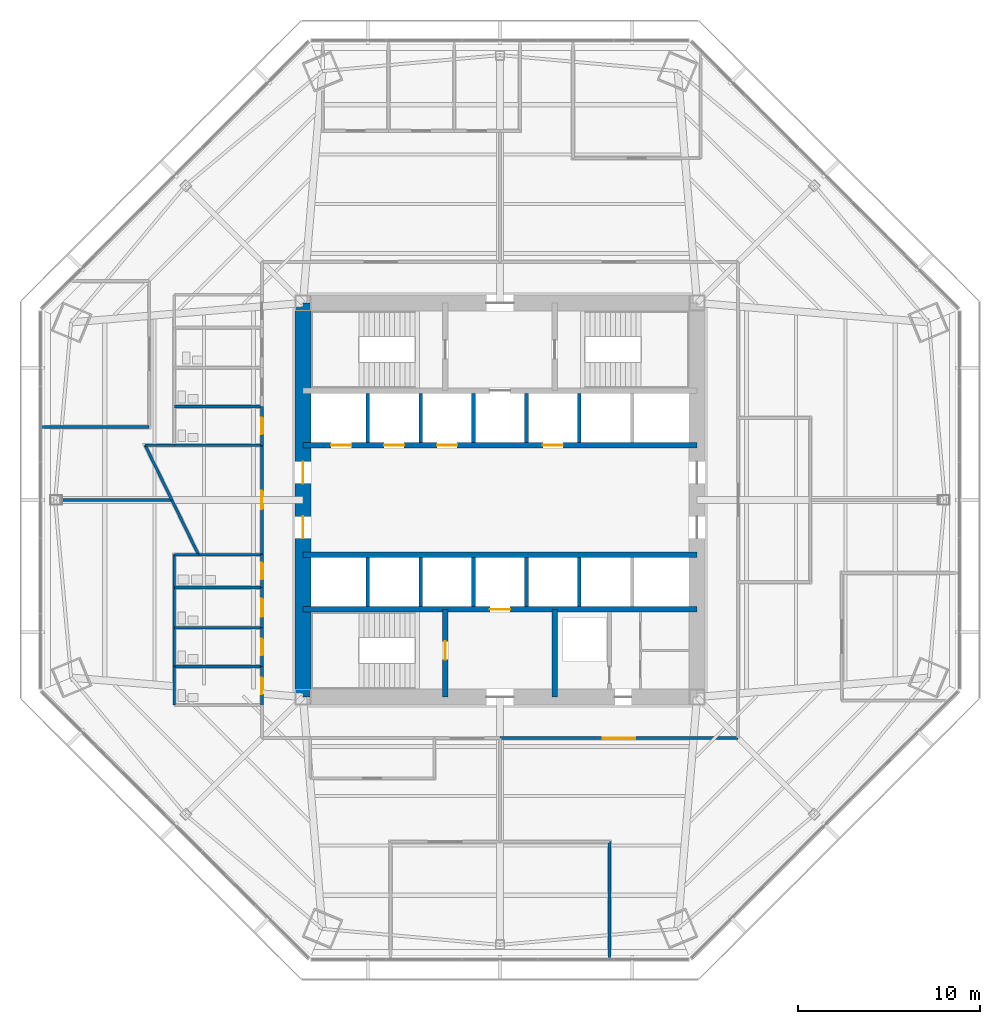
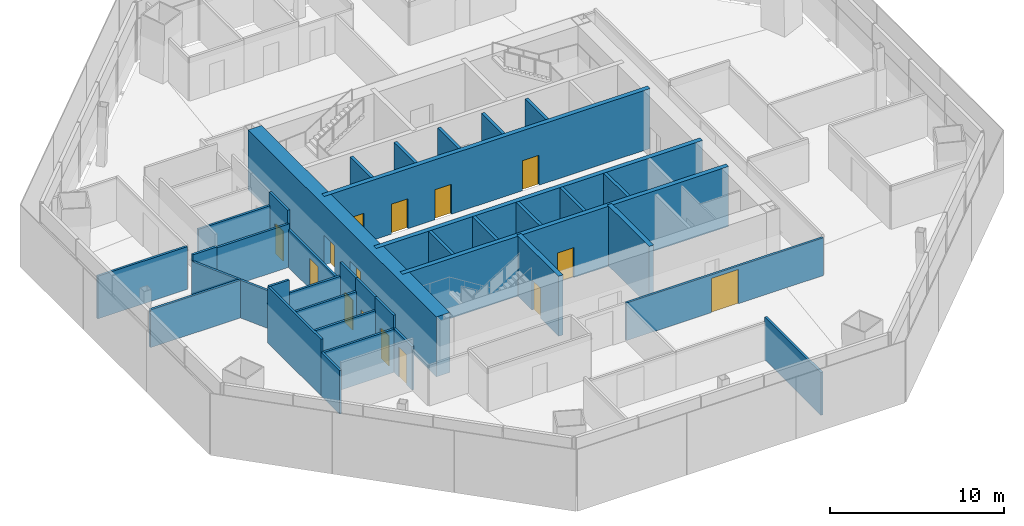
# One storey, part 10 of 16: 38 walls, 15 doors, 15 openings.
"""IFC4 building model written with IfcOpenShell, lengths in metres."""

from ifc_helpers import new_model, si_unit, direction, frame, frame_2d, origin, place, context, subcontext, project, spatial, rectangle, extrude, material, layer, layer_set, type_object, element, fill, save


model = new_model("IFC4")

# Units and contexts
model_context = context("Model", 3, precision=1e-05, world=origin(), true_north=direction((0.0, 1.0)))
body_context = subcontext(model_context, "Body", "Model", "MODEL_VIEW")
ifc_project = project(units=[si_unit("LENGTHUNIT", "METRE"), si_unit("AREAUNIT", "SQUARE_METRE"), si_unit("VOLUMEUNIT", "CUBIC_METRE"), si_unit("PLANEANGLEUNIT", "RADIAN"), si_unit("MASSUNIT", "GRAM", prefix="KILO")], contexts=[model_context])

# Site, building, storey
site_placement = place(None, origin())
site = spatial("IfcSite", under=ifc_project, at=site_placement, CompositionType="ELEMENT")
building_placement = place(site_placement, origin())
building = spatial("IfcBuilding", under=site, at=building_placement, Name="Mashrafa Tower", CompositionType="ELEMENT")
storey_placement = place(building_placement, frame((0.0, 0.0, 100.199951171875)))
storey = spatial("IfcBuildingStorey", under=building, at=storey_placement, Name="L22", CompositionType="ELEMENT", Elevation=100.199951171875)

# Wall, openings, doors
ifc_material_1 = material(Name="Concrete C60/75", Category="concrete")
ifc_layer_1 = layer(ifc_material_1, 0.300048828125)
ifc_layer_set_1 = layer_set([ifc_layer_1], Name="Core wall 300 C60/75")
wall_type_1 = type_object("IfcWallType", Name="Core wall 300 C60/75", PredefinedType="SOLIDWALL", material=ifc_layer_set_1)
wall_1_placement = place(storey_placement, frame((-10.800048828125, 3.0, 0.0), z_axis=(0.0, 0.0, 1.0), x_axis=(1.0, 0.0, 0.0)))
wall_1 = element("IfcWall", 1, at=wall_1_placement, inside=storey, type_object=wall_type_1, Name="Core wall CH-N L22", PredefinedType="SOLIDWALL", context=body_context, shape_type="SweptSolid", body=[
    extrude(rectangle(XDim=21.60009765625, YDim=0.300048828125, at=frame_2d((10.800048828125, 0.0))), origin(), (0.0, 0.0, 1.0), 4.199951171875),
])
opening_1_placement = place(wall_1_placement, frame((1.550048828125, 0.0, 0.0)))
opening_1 = element("IfcOpeningElement", 2, at=opening_1_placement, cuts=wall_1, Name="Opening 22.A1", PredefinedType="OPENING", context=body_context, shape_type="SweptSolid", body=[
    extrude(rectangle(XDim=1.10009765625, YDim=2.10009765625, at=frame_2d((0.550048828125, 1.050048828125))), frame((0.0, 0.159912109375, 0.0), z_axis=(0.0, -1.0, 0.0), x_axis=(1.0, 0.0, 0.0)), (0.0, 0.0, 1.0), 0.320068359375),
])
opening_2_placement = place(wall_1_placement, frame((4.449951171875, 0.0, 0.0)))
opening_2 = element("IfcOpeningElement", 3, at=opening_2_placement, cuts=wall_1, Name="Opening 22.A2", PredefinedType="OPENING", context=body_context, shape_type="SweptSolid", body=[
    extrude(rectangle(XDim=1.10009765625, YDim=2.10009765625, at=frame_2d((0.550048828125, 1.050048828125))), frame((0.0, 0.159912109375, 0.0), z_axis=(0.0, -1.0, 0.0), x_axis=(1.0, 0.0, 0.0)), (0.0, 0.0, 1.0), 0.320068359375),
])
opening_3_placement = place(wall_1_placement, frame((7.35009765625, 0.0, 0.0)))
opening_3 = element("IfcOpeningElement", 4, at=opening_3_placement, cuts=wall_1, Name="Opening 22.A3", PredefinedType="OPENING", context=body_context, shape_type="SweptSolid", body=[
    extrude(rectangle(XDim=1.10009765625, YDim=2.10009765625, at=frame_2d((0.550048828125, 1.050048828125))), frame((0.0, 0.159912109375, 0.0), z_axis=(0.0, -1.0, 0.0), x_axis=(1.0, 0.0, 0.0)), (0.0, 0.0, 1.0), 0.320068359375),
])
opening_4_placement = place(wall_1_placement, frame((13.14990234375, 0.0, 0.0)))
opening_4 = element("IfcOpeningElement", 5, at=opening_4_placement, cuts=wall_1, Name="Opening 22.A4", PredefinedType="OPENING", context=body_context, shape_type="SweptSolid", body=[
    extrude(rectangle(XDim=1.10009765625, YDim=2.10009765625, at=frame_2d((0.550048828125, 1.050048828125))), frame((0.0, 0.159912109375, 0.0), z_axis=(0.0, -1.0, 0.0), x_axis=(1.0, 0.0, 0.0)), (0.0, 0.0, 1.0), 0.320068359375),
])
ifc_material_2 = material(Name="Steel door", Category="steel")
door_type_1 = type_object("IfcDoorType", Name="Lift landing door 1100 x 2100 90 min", OperationType="DOUBLE_DOOR_SLIDING", PredefinedType="DOOR", material=ifc_material_2)
door_1_placement = place(opening_1_placement, origin())
door_1 = element("IfcDoor", 6, at=door_1_placement, inside=storey, type_object=door_type_1, Name="Lift landing door A1 L22", OperationType="DOUBLE_DOOR_SLIDING", OverallHeight=2.10009765625, OverallWidth=1.10009765625, PredefinedType="DOOR", context=body_context, shape_type="SweptSolid", body=[
    extrude(rectangle(XDim=1.10009765625, YDim=2.10009765625, at=frame_2d((0.550048828125, 1.050048828125))), frame((0.0, 0.02490234375, 0.0), z_axis=(0.0, -1.0, 0.0), x_axis=(1.0, 0.0, 0.0)), (0.0, 0.0, 1.0), 0.050048828125),
])
fill(opening_1, door_1)
door_2_placement = place(opening_2_placement, origin())
door_2 = element("IfcDoor", 7, at=door_2_placement, inside=storey, type_object=door_type_1, Name="Lift landing door A2 L22", OperationType="DOUBLE_DOOR_SLIDING", OverallHeight=2.10009765625, OverallWidth=1.10009765625, PredefinedType="DOOR", context=body_context, shape_type="SweptSolid", body=[
    extrude(rectangle(XDim=1.10009765625, YDim=2.10009765625, at=frame_2d((0.550048828125, 1.050048828125))), frame((0.0, 0.02490234375, 0.0), z_axis=(0.0, -1.0, 0.0), x_axis=(1.0, 0.0, 0.0)), (0.0, 0.0, 1.0), 0.050048828125),
])
fill(opening_2, door_2)
door_3_placement = place(opening_3_placement, origin())
door_3 = element("IfcDoor", 8, at=door_3_placement, inside=storey, type_object=door_type_1, Name="Lift landing door A3 L22", OperationType="DOUBLE_DOOR_SLIDING", OverallHeight=2.10009765625, OverallWidth=1.10009765625, PredefinedType="DOOR", context=body_context, shape_type="SweptSolid", body=[
    extrude(rectangle(XDim=1.10009765625, YDim=2.10009765625, at=frame_2d((0.550048828125, 1.050048828125))), frame((0.0, 0.02490234375, 0.0), z_axis=(0.0, -1.0, 0.0), x_axis=(1.0, 0.0, 0.0)), (0.0, 0.0, 1.0), 0.050048828125),
])
fill(opening_3, door_3)
door_4_placement = place(opening_4_placement, origin())
door_4 = element("IfcDoor", 9, at=door_4_placement, inside=storey, type_object=door_type_1, Name="Lift landing door A4 L22", OperationType="DOUBLE_DOOR_SLIDING", OverallHeight=2.10009765625, OverallWidth=1.10009765625, PredefinedType="DOOR", context=body_context, shape_type="SweptSolid", body=[
    extrude(rectangle(XDim=1.10009765625, YDim=2.10009765625, at=frame_2d((0.550048828125, 1.050048828125))), frame((0.0, 0.02490234375, 0.0), z_axis=(0.0, -1.0, 0.0), x_axis=(1.0, 0.0, 0.0)), (0.0, 0.0, 1.0), 0.050048828125),
])
fill(opening_4, door_4)

# Wall
wall_2_placement = place(storey_placement, frame((-10.800048828125, -3.0, 0.0), z_axis=(0.0, 0.0, 1.0), x_axis=(1.0, 0.0, 0.0)))
element("IfcWall", 10, at=wall_2_placement, inside=storey, type_object=wall_type_1, Name="Core wall CH-S L22", PredefinedType="SOLIDWALL", context=body_context, shape_type="SweptSolid", body=[
    extrude(rectangle(XDim=21.60009765625, YDim=0.300048828125, at=frame_2d((10.800048828125, 0.0))), origin(), (0.0, 0.0, 1.0), 4.199951171875),
])

# Wall, opening, door
wall_3_placement = place(storey_placement, frame((-10.800048828125, -6.0, 0.0), z_axis=(0.0, 0.0, 1.0), x_axis=(1.0, 0.0, 0.0)))
wall_3 = element("IfcWall", 11, at=wall_3_placement, inside=storey, type_object=wall_type_1, Name="Core wall CB-S L22", PredefinedType="SOLIDWALL", context=body_context, shape_type="SweptSolid", body=[
    extrude(rectangle(XDim=21.60009765625, YDim=0.300048828125, at=frame_2d((10.800048828125, 0.0))), origin(), (0.0, 0.0, 1.0), 4.199951171875),
])
opening_5_placement = place(wall_3_placement, frame((10.25, 0.0, 0.0)))
opening_5 = element("IfcOpeningElement", 12, at=opening_5_placement, cuts=wall_3, Name="Opening 22.F2", PredefinedType="OPENING", context=body_context, shape_type="SweptSolid", body=[
    extrude(rectangle(XDim=1.10009765625, YDim=2.10009765625, at=frame_2d((0.550048828125, 1.050048828125))), frame((0.0, 0.159912109375, 0.0), z_axis=(0.0, -1.0, 0.0), x_axis=(1.0, 0.0, 0.0)), (0.0, 0.0, 1.0), 0.320068359375),
])
door_5_placement = place(opening_5_placement, origin())
door_5 = element("IfcDoor", 13, at=door_5_placement, inside=storey, type_object=door_type_1, Name="Lift landing door F2 L22", OperationType="DOUBLE_DOOR_SLIDING", OverallHeight=2.10009765625, OverallWidth=1.10009765625, PredefinedType="DOOR", context=body_context, shape_type="SweptSolid", body=[
    extrude(rectangle(XDim=1.10009765625, YDim=2.10009765625, at=frame_2d((0.550048828125, 1.050048828125))), frame((0.0, 0.02490234375, 0.0), z_axis=(0.0, -1.0, 0.0), x_axis=(1.0, 0.0, 0.0)), (0.0, 0.0, 1.0), 0.050048828125),
])
fill(opening_5, door_5)

wall_4_placement = place(storey_placement, frame((-3.0, -6.0, 0.0), z_axis=(0.0, 0.0, 1.0), x_axis=(0.0, -1.0, 0.0)))
wall_4 = element("IfcWall", 14, at=wall_4_placement, inside=storey, type_object=wall_type_1, Name="Core wall CX-SW L22", PredefinedType="SOLIDWALL", context=body_context, shape_type="SweptSolid", body=[
    extrude(rectangle(XDim=4.800048828125, YDim=0.300048828125, at=frame_2d((2.39990234375, 0.0))), origin(), (0.0, 0.0, 1.0), 4.199951171875),
])
opening_6_placement = place(wall_4_placement, frame((1.75, 0.0, 0.0)))
opening_6 = element("IfcOpeningElement", 15, at=opening_6_placement, cuts=wall_4, Name="Opening 22.031", PredefinedType="OPENING", context=body_context, shape_type="SweptSolid", body=[
    extrude(rectangle(XDim=1.0, YDim=2.10009765625, at=frame_2d((0.5, 1.050048828125))), frame((0.0, 0.159912109375, 0.0), z_axis=(0.0, -1.0, 0.0), x_axis=(1.0, 0.0, 0.0)), (0.0, 0.0, 1.0), 0.320068359375),
])
ifc_material_3 = material(Name="Steel door", Category="steel")
door_type_2 = type_object("IfcDoorType", Name="Stair door 1000 x 2100 90 min", OperationType="USERDEFINED", PredefinedType="DOOR", material=ifc_material_3)
door_6_placement = place(opening_6_placement, frame((1.0, 0.0, 0.0), z_axis=(0.0, 0.0, 1.0), x_axis=(-1.0, 0.0, 0.0)))
door_6 = element("IfcDoor", 16, at=door_6_placement, inside=storey, type_object=door_type_2, Name="Stair S3 door L22", OperationType="SINGLE_SWING_RIGHT", OverallHeight=2.10009765625, OverallWidth=1.0, PredefinedType="DOOR", context=body_context, shape_type="SweptSolid", body=[
    extrude(rectangle(XDim=1.0, YDim=2.10009765625, at=frame_2d((0.5, 1.050048828125))), frame((0.0, 0.02490234375, 0.0), z_axis=(0.0, -1.0, 0.0), x_axis=(1.0, 0.0, 0.0)), (0.0, 0.0, 1.0), 0.050048828125),
])
fill(opening_6, door_6)

# Wall
wall_5_placement = place(storey_placement, frame((3.0, -6.0, 0.0), z_axis=(0.0, 0.0, 1.0), x_axis=(0.0, -1.0, 0.0)))
element("IfcWall", 17, at=wall_5_placement, inside=storey, type_object=wall_type_1, Name="Core wall CX-SE L22", PredefinedType="SOLIDWALL", context=body_context, shape_type="SweptSolid", body=[
    extrude(rectangle(XDim=4.800048828125, YDim=0.300048828125, at=frame_2d((2.39990234375, 0.0))), origin(), (0.0, 0.0, 1.0), 4.199951171875),
])

# Wall, openings, doors
ifc_material_4 = material(Name="Concrete C60/75", Category="concrete")
ifc_layer_2 = layer(ifc_material_4, 0.89990234375)
ifc_layer_set_2 = layer_set([ifc_layer_2], Name="Core wall 900 C60/75")
wall_type_2 = type_object("IfcWallType", Name="Core wall 900 C60/75", PredefinedType="SOLIDWALL", material=ifc_layer_set_2)
wall_6_placement = place(storey_placement, frame((-10.800048828125, 10.800048828125, 0.0), z_axis=(0.0, 0.0, 1.0), x_axis=(0.0, -1.0, 0.0)))
wall_6 = element("IfcWall", 18, at=wall_6_placement, inside=storey, type_object=wall_type_2, Name="Core wall CW-W L22", PredefinedType="SOLIDWALL", context=body_context, shape_type="SweptSolid", body=[
    extrude(rectangle(XDim=21.60009765625, YDim=0.89990234375, at=frame_2d((10.800048828125, 0.0))), origin(), (0.0, 0.0, 1.0), 4.199951171875),
])
opening_7_placement = place(wall_6_placement, frame((8.699951171875, 0.0, 0.0)))
opening_7 = element("IfcOpeningElement", 19, at=opening_7_placement, cuts=wall_6, Name="Opening 22.024", PredefinedType="OPENING", context=body_context, shape_type="SweptSolid", body=[
    extrude(rectangle(XDim=1.199951171875, YDim=2.10009765625, at=frame_2d((0.60009765625, 1.050048828125))), frame((0.0, 0.4599609375, 0.0), z_axis=(0.0, -1.0, 0.0), x_axis=(1.0, 0.0, 0.0)), (0.0, 0.0, 1.0), 0.919921875),
])
opening_8_placement = place(wall_6_placement, frame((11.699951171875, 0.0, 0.0)))
opening_8 = element("IfcOpeningElement", 20, at=opening_8_placement, cuts=wall_6, Name="Opening 22.026", PredefinedType="OPENING", context=body_context, shape_type="SweptSolid", body=[
    extrude(rectangle(XDim=1.199951171875, YDim=2.10009765625, at=frame_2d((0.60009765625, 1.050048828125))), frame((0.0, 0.4599609375, 0.0), z_axis=(0.0, -1.0, 0.0), x_axis=(1.0, 0.0, 0.0)), (0.0, 0.0, 1.0), 0.919921875),
])
ifc_material_5 = material(Name="Steel door", Category="steel")
door_type_3 = type_object("IfcDoorType", Name="Lift hall door 1200 x 2100 90 min", OperationType="USERDEFINED", PredefinedType="DOOR", material=ifc_material_5)
door_7_placement = place(opening_7_placement, frame((1.199951171875, 0.0, 0.0), z_axis=(0.0, 0.0, 1.0), x_axis=(-1.0, 0.0, 0.0)))
door_7 = element("IfcDoor", 21, at=door_7_placement, inside=storey, type_object=door_type_3, Name="Lift hall door west L22", OperationType="SINGLE_SWING_RIGHT", OverallHeight=2.10009765625, OverallWidth=1.199951171875, PredefinedType="DOOR", context=body_context, shape_type="SweptSolid", body=[
    extrude(rectangle(XDim=1.199951171875, YDim=2.10009765625, at=frame_2d((0.60009765625, 1.050048828125))), frame((0.0, 0.02490234375, 0.0), z_axis=(0.0, -1.0, 0.0), x_axis=(1.0, 0.0, 0.0)), (0.0, 0.0, 1.0), 0.050048828125),
])
fill(opening_7, door_7)
door_8_placement = place(opening_8_placement, frame((1.199951171875, 0.0, 0.0), z_axis=(0.0, 0.0, 1.0), x_axis=(-1.0, 0.0, 0.0)))
door_8 = element("IfcDoor", 22, at=door_8_placement, inside=storey, type_object=door_type_3, Name="Lift hall door west L22", OperationType="SINGLE_SWING_LEFT", OverallHeight=2.10009765625, OverallWidth=1.199951171875, PredefinedType="DOOR", context=body_context, shape_type="SweptSolid", body=[
    extrude(rectangle(XDim=1.199951171875, YDim=2.10009765625, at=frame_2d((0.60009765625, 1.050048828125))), frame((0.0, 0.02490234375, 0.0), z_axis=(0.0, -1.0, 0.0), x_axis=(1.0, 0.0, 0.0)), (0.0, 0.0, 1.0), 0.050048828125),
])
fill(opening_8, door_8)

# Wall, opening, door
ifc_material_6 = material(Name="Gypsum board on steel studs", Category="steel")
ifc_layer_3 = layer(ifc_material_6, 0.14990234375)
ifc_layer_set_3 = layer_set([ifc_layer_3], Name="Corridor partition 150 1 hr")
wall_type_3 = type_object("IfcWallType", Name="Corridor partition 150 1 hr", PredefinedType="PARTITIONING", material=ifc_layer_set_3)
wall_7_placement = place(storey_placement, frame((-13.050048828125, 5.1259765625, 0.0), z_axis=(0.0, 0.0, 1.0), x_axis=(0.0, -1.0, 0.0)))
wall_7 = element("IfcWall", 23, at=wall_7_placement, inside=storey, type_object=wall_type_3, Name="Corridor wall L22-001", PredefinedType="PARTITIONING", context=body_context, shape_type="SweptSolid", body=[
    extrude(rectangle(XDim=2.126953125, YDim=0.14990234375, at=frame_2d((1.0634765625, 0.0))), origin(), (0.0, 0.0, 1.0), 3.949951171875),
])
opening_9_placement = place(wall_7_placement, frame((0.613525390625, 0.0, 0.0)))
opening_9 = element("IfcOpeningElement", 24, at=opening_9_placement, cuts=wall_7, Name="Opening 22.001", PredefinedType="OPENING", context=body_context, shape_type="SweptSolid", body=[
    extrude(rectangle(XDim=0.89990234375, YDim=2.10009765625, at=frame_2d((0.449951171875, 1.050048828125))), frame((0.0, 0.0849609375, 0.0), z_axis=(0.0, -1.0, 0.0), x_axis=(1.0, 0.0, 0.0)), (0.0, 0.0, 1.0), 0.169921875),
])
ifc_material_7 = material(Name="Timber door", Category="wood")
door_type_4 = type_object("IfcDoorType", Name="Toilet door 900 x 2100", OperationType="USERDEFINED", PredefinedType="DOOR", material=ifc_material_7)
door_9_placement = place(opening_9_placement, frame((0.89990234375, 0.0, 0.0), z_axis=(0.0, 0.0, 1.0), x_axis=(-1.0, 0.0, 0.0)))
door_9 = element("IfcDoor", 25, at=door_9_placement, inside=storey, type_object=door_type_4, Name="WC Female L22 N door", OperationType="SINGLE_SWING_RIGHT", OverallHeight=2.10009765625, OverallWidth=0.89990234375, PredefinedType="DOOR", context=body_context, shape_type="SweptSolid", body=[
    extrude(rectangle(XDim=0.89990234375, YDim=2.10009765625, at=frame_2d((0.449951171875, 1.050048828125))), frame((0.0, 0.02490234375, 0.0), z_axis=(0.0, -1.0, 0.0), x_axis=(1.0, 0.0, 0.0)), (0.0, 0.0, 1.0), 0.050048828125),
])
fill(opening_9, door_9)

wall_8_placement = place(storey_placement, frame((-13.050048828125, -9.1240234375, 0.0), z_axis=(0.0, 0.0, 1.0), x_axis=(0.0, -1.0, 0.0)))
wall_8 = element("IfcWall", 26, at=wall_8_placement, inside=storey, type_object=wall_type_3, Name="Corridor wall L22-005", PredefinedType="PARTITIONING", context=body_context, shape_type="SweptSolid", body=[
    extrude(rectangle(XDim=2.126953125, YDim=0.14990234375, at=frame_2d((1.0634765625, 0.0))), origin(), (0.0, 0.0, 1.0), 3.0400390625),
])
opening_10_placement = place(wall_8_placement, frame((0.613525390625, 0.0, 0.0)))
opening_10 = element("IfcOpeningElement", 27, at=opening_10_placement, cuts=wall_8, Name="Opening 22.005", PredefinedType="OPENING", context=body_context, shape_type="SweptSolid", body=[
    extrude(rectangle(XDim=0.89990234375, YDim=2.10009765625, at=frame_2d((0.449951171875, 1.050048828125))), frame((0.0, 0.0849609375, 0.0), z_axis=(0.0, -1.0, 0.0), x_axis=(1.0, 0.0, 0.0)), (0.0, 0.0, 1.0), 0.169921875),
])
door_10_placement = place(opening_10_placement, frame((0.89990234375, 0.0, 0.0), z_axis=(0.0, 0.0, 1.0), x_axis=(-1.0, 0.0, 0.0)))
door_10 = element("IfcDoor", 28, at=door_10_placement, inside=storey, type_object=door_type_4, Name="WC Female L22 S door", OperationType="SINGLE_SWING_RIGHT", OverallHeight=2.10009765625, OverallWidth=0.89990234375, PredefinedType="DOOR", context=body_context, shape_type="SweptSolid", body=[
    extrude(rectangle(XDim=0.89990234375, YDim=2.10009765625, at=frame_2d((0.449951171875, 1.050048828125))), frame((0.0, 0.02490234375, 0.0), z_axis=(0.0, -1.0, 0.0), x_axis=(1.0, 0.0, 0.0)), (0.0, 0.0, 1.0), 0.050048828125),
])
fill(opening_10, door_10)

wall_9_placement = place(storey_placement, frame((-13.050048828125, -6.9990234375, 0.0), z_axis=(0.0, 0.0, 1.0), x_axis=(0.0, -1.0, 0.0)))
wall_9 = element("IfcWall", 29, at=wall_9_placement, inside=storey, type_object=wall_type_3, Name="Corridor wall L22-006", PredefinedType="PARTITIONING", context=body_context, shape_type="SweptSolid", body=[
    extrude(rectangle(XDim=2.126953125, YDim=0.14990234375, at=frame_2d((1.0634765625, 0.0))), origin(), (0.0, 0.0, 1.0), 3.949951171875),
])
opening_11_placement = place(wall_9_placement, frame((0.613525390625, 0.0, 0.0)))
opening_11 = element("IfcOpeningElement", 30, at=opening_11_placement, cuts=wall_9, Name="Opening 22.006", PredefinedType="OPENING", context=body_context, shape_type="SweptSolid", body=[
    extrude(rectangle(XDim=0.89990234375, YDim=2.10009765625, at=frame_2d((0.449951171875, 1.050048828125))), frame((0.0, 0.0849609375, 0.0), z_axis=(0.0, -1.0, 0.0), x_axis=(1.0, 0.0, 0.0)), (0.0, 0.0, 1.0), 0.169921875),
])
door_11_placement = place(opening_11_placement, frame((0.89990234375, 0.0, 0.0), z_axis=(0.0, 0.0, 1.0), x_axis=(-1.0, 0.0, 0.0)))
door_11 = element("IfcDoor", 31, at=door_11_placement, inside=storey, type_object=door_type_4, Name="WC Male L22 S door", OperationType="SINGLE_SWING_RIGHT", OverallHeight=2.10009765625, OverallWidth=0.89990234375, PredefinedType="DOOR", context=body_context, shape_type="SweptSolid", body=[
    extrude(rectangle(XDim=0.89990234375, YDim=2.10009765625, at=frame_2d((0.449951171875, 1.050048828125))), frame((0.0, 0.02490234375, 0.0), z_axis=(0.0, -1.0, 0.0), x_axis=(1.0, 0.0, 0.0)), (0.0, 0.0, 1.0), 0.050048828125),
])
fill(opening_11, door_11)

wall_10_placement = place(storey_placement, frame((-13.050048828125, -4.799072265625, 0.0), z_axis=(0.0, 0.0, 1.0), x_axis=(0.0, -1.0, 0.0)))
wall_10 = element("IfcWall", 32, at=wall_10_placement, inside=storey, type_object=wall_type_3, Name="Corridor wall L22-007", PredefinedType="PARTITIONING", context=body_context, shape_type="SweptSolid", body=[
    extrude(rectangle(XDim=2.201904296875, YDim=0.14990234375, at=frame_2d((1.10107421875, 0.0))), origin(), (0.0, 0.0, 1.0), 3.949951171875),
])
opening_12_placement = place(wall_10_placement, frame((0.60107421875, 0.0, 0.0)))
opening_12 = element("IfcOpeningElement", 33, at=opening_12_placement, cuts=wall_10, Name="Opening 22.007", PredefinedType="OPENING", context=body_context, shape_type="SweptSolid", body=[
    extrude(rectangle(XDim=1.0, YDim=2.10009765625, at=frame_2d((0.5, 1.050048828125))), frame((0.0, 0.0849609375, 0.0), z_axis=(0.0, -1.0, 0.0), x_axis=(1.0, 0.0, 0.0)), (0.0, 0.0, 1.0), 0.169921875),
])
ifc_material_8 = material(Name="Timber door", Category="wood")
door_type_5 = type_object("IfcDoorType", Name="Accessible toilet door 1000 x 2100", OperationType="USERDEFINED", PredefinedType="DOOR", material=ifc_material_8)
door_12_placement = place(opening_12_placement, frame((1.0, 0.0, 0.0), z_axis=(0.0, 0.0, 1.0), x_axis=(-1.0, 0.0, 0.0)))
door_12 = element("IfcDoor", 34, at=door_12_placement, inside=storey, type_object=door_type_5, Name="Accessible WC L22 S door", OperationType="SINGLE_SWING_LEFT", OverallHeight=2.10009765625, OverallWidth=1.0, PredefinedType="DOOR", context=body_context, shape_type="SweptSolid", body=[
    extrude(rectangle(XDim=1.0, YDim=2.10009765625, at=frame_2d((0.5, 1.050048828125))), frame((0.0, 0.02490234375, 0.0), z_axis=(0.0, -1.0, 0.0), x_axis=(1.0, 0.0, 0.0)), (0.0, 0.0, 1.0), 0.050048828125),
])
fill(opening_12, door_12)

wall_11_placement = place(storey_placement, frame((-13.050048828125, -2.9990234375, 0.0), z_axis=(0.0, 0.0, 1.0), x_axis=(0.0, -1.0, 0.0)))
wall_11 = element("IfcWall", 35, at=wall_11_placement, inside=storey, type_object=wall_type_3, Name="Corridor wall L22-008", PredefinedType="PARTITIONING", context=body_context, shape_type="SweptSolid", body=[
    extrude(rectangle(XDim=1.802001953125, YDim=0.14990234375, at=frame_2d((0.90087890625, 0.0))), origin(), (0.0, 0.0, 1.0), 3.949951171875),
])
opening_13_placement = place(wall_11_placement, frame((0.450927734375, 0.0, 0.0)))
opening_13 = element("IfcOpeningElement", 36, at=opening_13_placement, cuts=wall_11, Name="Opening 22.008", PredefinedType="OPENING", context=body_context, shape_type="SweptSolid", body=[
    extrude(rectangle(XDim=0.89990234375, YDim=2.10009765625, at=frame_2d((0.449951171875, 1.050048828125))), frame((0.0, 0.0849609375, 0.0), z_axis=(0.0, -1.0, 0.0), x_axis=(1.0, 0.0, 0.0)), (0.0, 0.0, 1.0), 0.169921875),
])
door_13_placement = place(opening_13_placement, frame((0.89990234375, 0.0, 0.0), z_axis=(0.0, 0.0, 1.0), x_axis=(-1.0, 0.0, 0.0)))
door_13 = element("IfcDoor", 37, at=door_13_placement, inside=storey, type_object=door_type_4, Name="Ablution Room L22 S door", OperationType="SINGLE_SWING_RIGHT", OverallHeight=2.10009765625, OverallWidth=0.89990234375, PredefinedType="DOOR", context=body_context, shape_type="SweptSolid", body=[
    extrude(rectangle(XDim=0.89990234375, YDim=2.10009765625, at=frame_2d((0.449951171875, 1.050048828125))), frame((0.0, 0.02490234375, 0.0), z_axis=(0.0, -1.0, 0.0), x_axis=(1.0, 0.0, 0.0)), (0.0, 0.0, 1.0), 0.050048828125),
])
fill(opening_13, door_13)

wall_12_placement = place(storey_placement, frame((-13.050048828125, 3.0009765625, 0.0), z_axis=(0.0, 0.0, 1.0), x_axis=(0.0, -1.0, 0.0)))
wall_12 = element("IfcWall", 38, at=wall_12_placement, inside=storey, type_object=wall_type_3, Name="Corridor wall L22-009", PredefinedType="PARTITIONING", context=body_context, shape_type="SweptSolid", body=[
    extrude(rectangle(XDim=6.001953125, YDim=0.14990234375, at=frame_2d((3.0009765625, 0.0))), origin(), (0.0, 0.0, 1.0), 2.64013671875),
])
opening_14_placement = place(wall_12_placement, frame((2.5009765625, 0.0, 0.0)))
opening_14 = element("IfcOpeningElement", 39, at=opening_14_placement, cuts=wall_12, Name="Opening 22.009", PredefinedType="OPENING", context=body_context, shape_type="SweptSolid", body=[
    extrude(rectangle(XDim=1.0, YDim=2.10009765625, at=frame_2d((0.5, 1.050048828125))), frame((0.0, 0.0849609375, 0.0), z_axis=(0.0, -1.0, 0.0), x_axis=(1.0, 0.0, 0.0)), (0.0, 0.0, 1.0), 0.169921875),
])
ifc_material_9 = material(Name="Timber door", Category="wood")
door_type_6 = type_object("IfcDoorType", Name="Door 1000 x 2100", OperationType="USERDEFINED", PredefinedType="DOOR", material=ifc_material_9)
door_14_placement = place(opening_14_placement, frame((1.0, 0.0, 0.0), z_axis=(0.0, 0.0, 1.0), x_axis=(-1.0, 0.0, 0.0)))
door_14 = element("IfcDoor", 40, at=door_14_placement, inside=storey, type_object=door_type_6, Name="Musallah Prayer Room 22 door", OperationType="SINGLE_SWING_LEFT", OverallHeight=2.10009765625, OverallWidth=1.0, PredefinedType="DOOR", context=body_context, shape_type="SweptSolid", body=[
    extrude(rectangle(XDim=1.0, YDim=2.10009765625, at=frame_2d((0.5, 1.050048828125))), frame((0.0, 0.02490234375, 0.0), z_axis=(0.0, -1.0, 0.0), x_axis=(1.0, 0.0, 0.0)), (0.0, 0.0, 1.0), 0.050048828125),
])
fill(opening_14, door_14)

wall_13_placement = place(storey_placement, frame((-0.0009765625, -13.050048828125, 0.0), z_axis=(0.0, 0.0, 1.0), x_axis=(1.0, 0.0, 0.0)))
wall_13 = element("IfcWall", 41, at=wall_13_placement, inside=storey, type_object=wall_type_3, Name="Corridor wall L22-019", PredefinedType="PARTITIONING", context=body_context, shape_type="SweptSolid", body=[
    extrude(rectangle(XDim=13.051025390625, YDim=0.14990234375, at=frame_2d((6.525390625, 0.0))), origin(), (0.0, 0.0, 1.0), 2.64013671875),
])
opening_15_placement = place(wall_13_placement, frame((5.62548828125, 0.0, 0.0)))
opening_15 = element("IfcOpeningElement", 42, at=opening_15_placement, cuts=wall_13, Name="Opening 22.022", PredefinedType="OPENING", context=body_context, shape_type="SweptSolid", body=[
    extrude(rectangle(XDim=1.800048828125, YDim=2.39990234375, at=frame_2d((0.89990234375, 1.199951171875))), frame((0.0, 0.0849609375, 0.0), z_axis=(0.0, -1.0, 0.0), x_axis=(1.0, 0.0, 0.0)), (0.0, 0.0, 1.0), 0.169921875),
])
ifc_material_10 = material(Name="Timber door", Category="wood")
door_type_7 = type_object("IfcDoorType", Name="Door pair 1800 x 2400", OperationType="DOUBLE_DOOR_SINGLE_SWING", PredefinedType="DOOR", material=ifc_material_10)
door_15_placement = place(opening_15_placement, frame((1.800048828125, 0.0, 0.0), z_axis=(0.0, 0.0, 1.0), x_axis=(-1.0, 0.0, 0.0)))
door_15 = element("IfcDoor", 43, at=door_15_placement, inside=storey, type_object=door_type_7, Name="Legal Office 22-SE door", OperationType="DOUBLE_DOOR_SINGLE_SWING", OverallHeight=2.39990234375, OverallWidth=1.800048828125, PredefinedType="DOOR", context=body_context, shape_type="SweptSolid", body=[
    extrude(rectangle(XDim=1.800048828125, YDim=2.39990234375, at=frame_2d((0.89990234375, 1.199951171875))), frame((0.0, 0.02490234375, 0.0), z_axis=(0.0, -1.0, 0.0), x_axis=(1.0, 0.0, 0.0)), (0.0, 0.0, 1.0), 0.050048828125),
])
fill(opening_15, door_15)

# Walls
ifc_material_11 = material(Name="Gypsum board on steel studs", Category="steel")
ifc_layer_4 = layer(ifc_material_11, 0.14990234375)
ifc_layer_set_4 = layer_set([ifc_layer_4], Name="Partition 150")
wall_type_4 = type_object("IfcWallType", Name="Partition 150", PredefinedType="PARTITIONING", material=ifc_layer_set_4)
for number, where, z_axis, x_axis, name in (
    (44, (-13.050048828125, 5.125, 0.0), (0.0, 0.0, 1.0), (-1.0, 0.0, 0.0), "Partition wall L22-021"),
    (45, (-17.85009765625, 3.0, 0.0), (0.0, 0.0, 1.0), (1.0, 0.0, 0.0), "Partition wall L22-022"),
    (46, (-13.050048828125, -9.125, 0.0), (0.0, 0.0, 1.0), (-1.0, 0.0, 0.0), "Partition wall L22-030"),
):
    element("IfcWall", number, at=place(storey_placement, frame(where, z_axis=z_axis, x_axis=x_axis)), inside=storey, type_object=wall_type_4, Name=name, PredefinedType="PARTITIONING", context=body_context, shape_type="SweptSolid", body=[
        extrude(rectangle(XDim=4.800048828125, YDim=0.14990234375, at=frame_2d((2.39990234375, 0.0))), origin(), (0.0, 0.0, 1.0), 3.028076171875),
    ])
wall_14_placement = place(storey_placement, frame((-17.85009765625, -9.125, 0.0), z_axis=(0.0, 0.0, 1.0), x_axis=(0.0, -1.0, 0.0)))
element("IfcWall", 47, at=wall_14_placement, inside=storey, type_object=wall_type_4, Name="Partition wall L22-031", PredefinedType="PARTITIONING", context=body_context, shape_type="SweptSolid", body=[
    extrude(rectangle(XDim=2.125, YDim=0.14990234375, at=frame_2d((1.0625, 0.0))), origin(), (0.0, 0.0, 1.0), 3.0400390625),
])
wall_15_placement = place(storey_placement, frame((-13.050048828125, -7.0, 0.0), z_axis=(0.0, 0.0, 1.0), x_axis=(-1.0, 0.0, 0.0)))
element("IfcWall", 48, at=wall_15_placement, inside=storey, type_object=wall_type_4, Name="Partition wall L22-033", PredefinedType="PARTITIONING", context=body_context, shape_type="SweptSolid", body=[
    extrude(rectangle(XDim=4.800048828125, YDim=0.14990234375, at=frame_2d((2.39990234375, 0.0))), origin(), (0.0, 0.0, 1.0), 3.028076171875),
])
wall_16_placement = place(storey_placement, frame((-17.85009765625, -9.125, 0.0), z_axis=(0.0, 0.0, 1.0), x_axis=(0.0, 1.0, 0.0)))
element("IfcWall", 49, at=wall_16_placement, inside=storey, type_object=wall_type_4, Name="Partition wall L22-034", PredefinedType="PARTITIONING", context=body_context, shape_type="SweptSolid", body=[
    extrude(rectangle(XDim=6.125, YDim=0.14990234375, at=frame_2d((3.0625, 0.0))), origin(), (0.0, 0.0, 1.0), 3.949951171875),
])
wall_17_placement = place(storey_placement, frame((-13.050048828125, -4.800048828125, 0.0), z_axis=(0.0, 0.0, 1.0), x_axis=(-1.0, 0.0, 0.0)))
element("IfcWall", 50, at=wall_17_placement, inside=storey, type_object=wall_type_4, Name="Partition wall L22-035", PredefinedType="PARTITIONING", context=body_context, shape_type="SweptSolid", body=[
    extrude(rectangle(XDim=4.800048828125, YDim=0.14990234375, at=frame_2d((2.39990234375, 0.0))), origin(), (0.0, 0.0, 1.0), 3.028076171875),
])
wall_18_placement = place(storey_placement, frame((-13.050048828125, -3.0, 0.0), z_axis=(0.0, 0.0, 1.0), x_axis=(-1.0, 0.0, 0.0)))
element("IfcWall", 51, at=wall_18_placement, inside=storey, type_object=wall_type_4, Name="Partition wall L22-037", PredefinedType="PARTITIONING", context=body_context, shape_type="SweptSolid", body=[
    extrude(rectangle(XDim=3.474609375, YDim=0.14990234375, at=frame_2d((1.7373046875, 0.0))), origin(), (0.0, 0.0, 1.0), 3.028076171875),
])
wall_19_placement = place(storey_placement, frame((-16.5224609375, -3.0, 0.0), z_axis=(0.0, 0.0, 1.0), x_axis=(-1.0, 0.0, 0.0)))
element("IfcWall", 52, at=wall_19_placement, inside=storey, type_object=wall_type_4, Name="Partition wall L22-038", PredefinedType="PARTITIONING", context=body_context, shape_type="SweptSolid", body=[
    extrude(rectangle(XDim=1.32763671875, YDim=0.14990234375, at=frame_2d((0.663818359375, 0.0))), origin(), (0.0, 0.0, 1.0), 3.949951171875),
])
wall_20_placement = place(storey_placement, frame((-17.84912109375, 3.0, 0.0), z_axis=(0.0, 0.0, 1.0), x_axis=(-1.0, 0.0, 0.0)))
element("IfcWall", 53, at=wall_20_placement, inside=storey, type_object=wall_type_4, Name="Partition wall L22-040", PredefinedType="PARTITIONING", context=body_context, shape_type="SweptSolid", body=[
    extrude(rectangle(XDim=1.600830078125, YDim=0.14990234375, at=frame_2d((0.80029296875, 0.0))), origin(), (0.0, 0.0, 1.0), 3.09423828125),
])
for number, where, z_axis, x_axis, name in (
    (54, (-19.449951171875, 3.0, 0.0), (0.0, 0.0, 1.0), (0.438358802551, -0.898800066882, 0.0), "Partition wall L22-041"),
    (55, (-17.9873046875, 0.0009765625, 0.0), (0.0, 0.0, 1.0), (0.438358802551, -0.898800066882, 0.0), "Partition wall L22-042"),
):
    element("IfcWall", number, at=place(storey_placement, frame(where, z_axis=z_axis, x_axis=x_axis)), inside=storey, type_object=wall_type_4, Name=name, PredefinedType="PARTITIONING", context=body_context, shape_type="SweptSolid", body=[
        extrude(rectangle(XDim=3.3388671875, YDim=0.14990234375, at=frame_2d((1.66943359375, 0.0))), origin(), (0.0, 0.0, 1.0), 2.64013671875),
    ])
wall_21_placement = place(storey_placement, frame((6.0, -25.162109375, 0.0), z_axis=(0.0, 0.0, 1.0), x_axis=(0.0, 1.0, 0.0)))
element("IfcWall", 56, at=wall_21_placement, inside=storey, type_object=wall_type_4, Name="Partition wall L22-052", PredefinedType="PARTITIONING", context=body_context, shape_type="SweptSolid", body=[
    extrude(rectangle(XDim=6.431884765625, YDim=0.14990234375, at=frame_2d((3.2158203125, 0.0))), origin(), (0.0, 0.0, 1.0), 2.989990234375),
])
wall_22_placement = place(storey_placement, frame((-25.162109375, 4.0, 0.0), z_axis=(0.0, 0.0, 1.0), x_axis=(1.0, 0.0, 0.0)))
element("IfcWall", 57, at=wall_22_placement, inside=storey, type_object=wall_type_4, Name="Partition wall L22-057", PredefinedType="PARTITIONING", context=body_context, shape_type="SweptSolid", body=[
    extrude(rectangle(XDim=5.931884765625, YDim=0.14990234375, at=frame_2d((2.9658203125, 0.0))), origin(), (0.0, 0.0, 1.0), 2.989990234375),
])
wall_23_placement = place(storey_placement, frame((-23.9921875, 0.0, 0.0), z_axis=(0.0, 0.0, 1.0), x_axis=(1.0, 0.0, 0.0)))
element("IfcWall", 58, at=wall_23_placement, inside=storey, type_object=wall_type_4, Name="Partition wall L22-074", PredefinedType="PARTITIONING", context=body_context, shape_type="SweptSolid", body=[
    extrude(rectangle(XDim=6.00537109375, YDim=0.14990234375, at=frame_2d((3.002685546875, 0.0))), origin(), (0.0, 0.0, 1.0), 2.64013671875),
])
ifc_material_12 = material(Name="Gypsum shaft wall on steel studs", Category="steel")
ifc_layer_5 = layer(ifc_material_12, 0.199951171875)
ifc_layer_set_5 = layer_set([ifc_layer_5], Name="Shaft divider wall 200 2 hr")
wall_type_5 = type_object("IfcWallType", Name="Shaft divider wall 200 2 hr", PredefinedType="PARTITIONING", material=ifc_layer_set_5)
for number, where, z_axis, x_axis, name in (
    (59, (-7.25, 3.14990234375, 0.0), (0.0, 0.0, 1.0), (0.0, 1.0, 0.0), "Shaft divider wall N1 L22"),
    (60, (-4.35009765625, 3.14990234375, 0.0), (0.0, 0.0, 1.0), (0.0, 1.0, 0.0), "Shaft divider wall N2 L22"),
    (61, (-1.449951171875, 3.14990234375, 0.0), (0.0, 0.0, 1.0), (0.0, 1.0, 0.0), "Shaft divider wall N3 L22"),
    (62, (1.449951171875, 3.14990234375, 0.0), (0.0, 0.0, 1.0), (0.0, 1.0, 0.0), "Shaft divider wall N4 L22"),
    (63, (4.35009765625, 3.14990234375, 0.0), (0.0, 0.0, 1.0), (0.0, 1.0, 0.0), "Shaft divider wall N5 L22"),
):
    element("IfcWall", number, at=place(storey_placement, frame(where, z_axis=z_axis, x_axis=x_axis)), inside=storey, type_object=wall_type_5, Name=name, PredefinedType="PARTITIONING", context=body_context, shape_type="SweptSolid", body=[
        extrude(rectangle(XDim=2.7001953125, YDim=0.199951171875, at=frame_2d((1.35009765625, 0.0))), origin(), (0.0, 0.0, 1.0), 3.949951171875),
    ])
for number, where, z_axis, x_axis, name in (
    (64, (-7.25, -5.85009765625, 0.0), (0.0, 0.0, 1.0), (0.0, 1.0, 0.0), "Shaft divider wall S1 L22"),
    (65, (-4.35009765625, -5.85009765625, 0.0), (0.0, 0.0, 1.0), (0.0, 1.0, 0.0), "Shaft divider wall S2 L22"),
    (66, (-1.449951171875, -5.85009765625, 0.0), (0.0, 0.0, 1.0), (0.0, 1.0, 0.0), "Shaft divider wall S3 L22"),
    (67, (1.449951171875, -5.85009765625, 0.0), (0.0, 0.0, 1.0), (0.0, 1.0, 0.0), "Shaft divider wall S4 L22"),
    (68, (4.35009765625, -5.85009765625, 0.0), (0.0, 0.0, 1.0), (0.0, 1.0, 0.0), "Shaft divider wall S5 L22"),
):
    element("IfcWall", number, at=place(storey_placement, frame(where, z_axis=z_axis, x_axis=x_axis)), inside=storey, type_object=wall_type_5, Name=name, PredefinedType="PARTITIONING", context=body_context, shape_type="SweptSolid", body=[
        extrude(rectangle(XDim=2.7001953125, YDim=0.199951171875, at=frame_2d((1.35009765625, 0.0))), origin(), (0.0, 0.0, 1.0), 4.199951171875),
    ])

save(model, "model.ifc")
